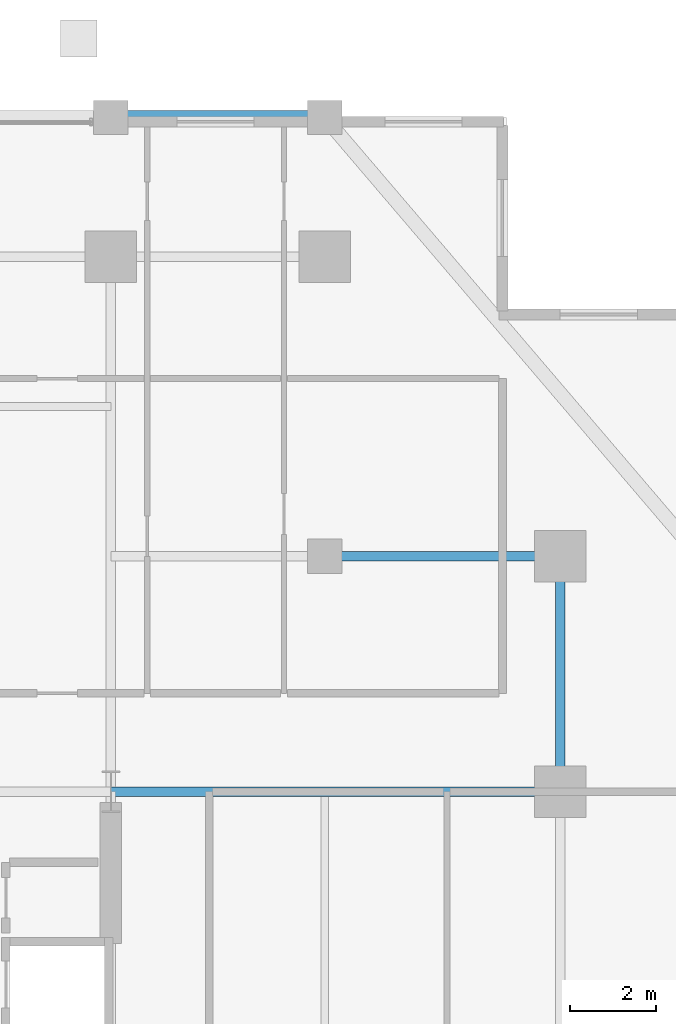
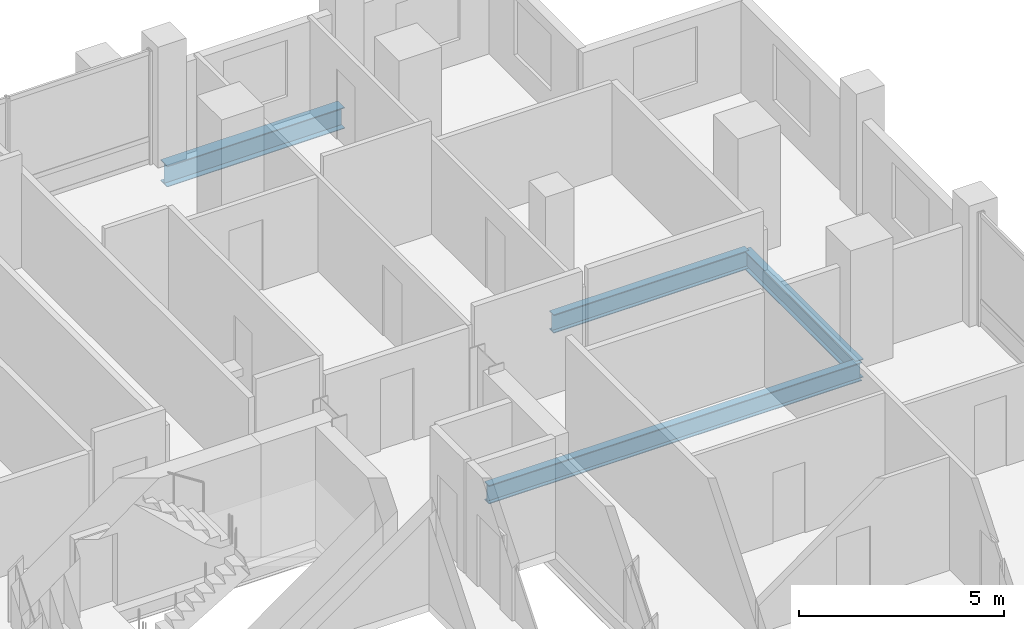
# One storey, part 11 of 19: 4 beams.
"""IFC4 building model written with IfcOpenShell, lengths in metres."""

import ifcopenshell
import ifcopenshell.guid

model = None  # the IFC model being written
_history = None  # IfcOwnerHistory: only IFC2X3 demands one
_inside = {}  # id of a spatial element -> (the spatial element, [elements in it])
_under = {}  # id of a project, library or spatial element -> (it, [spatial elements below it])
_declared = {}  # id of a project -> (the project, [libraries it declares])
_typed = {}  # id of a type object -> (the type object, [elements of that type])
_made_of = {}  # id of a material, layer set ... -> (it, [elements and type objects made of it])


def new_model(schema):
    """Start an empty IFC model of exactly this schema.

    Asked for "IFC4X3", IfcOpenShell would pick the latest addendum, in which some entities
    have other attributes; the version numbers below select the first issue.
    IFC2X3 requires an IfcOwnerHistory on every rooted entity: one is made here for all.
    """
    global model, _history
    if schema == "IFC4X3":
        model = ifcopenshell.file(schema_version=(4, 3, 0, 0))
    else:
        model = ifcopenshell.file(schema=schema)
    _inside.clear()
    _under.clear()
    _declared.clear()
    _typed.clear()
    _made_of.clear()
    _history = None
    if model.schema == "IFC2X3":
        org = make("IfcOrganization", Name="unknown")
        user = make(
            "IfcPersonAndOrganization",
            ThePerson=make("IfcPerson", FamilyName="unknown"),
            TheOrganization=org,
        )
        app = make(
            "IfcApplication",
            ApplicationDeveloper=org,
            Version="unknown",
            ApplicationFullName="unknown",
            ApplicationIdentifier="unknown",
        )
        _history = make(
            "IfcOwnerHistory",
            OwningUser=user,
            OwningApplication=app,
            ChangeAction="ADDED",
            CreationDate=0,
        )
    return model


def make(cls, **values):
    """One entity of the class cls with the attributes given. An attribute that is None is left unset."""
    return model.create_entity(
        cls, **{name: value for name, value in values.items() if value is not None}
    )


def rooted(cls, **values):
    """An entity with a GlobalId (a new one), such as an element, a storey or a relation."""
    return make(cls, GlobalId=ifcopenshell.guid.new(), OwnerHistory=_history, **values)


def si_unit(unit_type, name, prefix=None):
    """IfcSIUnit, for example si_unit("LENGTHUNIT", "METRE", prefix="MILLI")."""
    return make("IfcSIUnit", UnitType=unit_type, Prefix=prefix, Name=name)


def assignment(units):
    """IfcUnitAssignment: the units of a project."""
    return None if units is None else make("IfcUnitAssignment", Units=units)


def point(xyz):
    """IfcCartesianPoint."""
    return None if xyz is None else make("IfcCartesianPoint", Coordinates=xyz)


def direction(xyz):
    """IfcDirection."""
    return None if xyz is None else make("IfcDirection", DirectionRatios=xyz)


def frame(location, z_axis=None, x_axis=None):
    """IfcAxis2Placement3D, a coordinate frame: its origin and axes. An axis left out is left unset."""
    return make(
        "IfcAxis2Placement3D",
        Location=point(location),
        Axis=direction(z_axis),
        RefDirection=direction(x_axis),
    )


def frame_2d(location, x_axis=None):
    """IfcAxis2Placement2D, a coordinate frame in the plane: its origin and x axis."""
    return make(
        "IfcAxis2Placement2D", Location=point(location), RefDirection=direction(x_axis)
    )


def origin():
    """The frame at (0, 0, 0) with its axes left unset."""
    return frame((0.0, 0.0, 0.0))


def origin_2d():
    """The frame at (0, 0) in the plane with its x axis left unset."""
    return frame_2d((0.0, 0.0))


def place(relative_to, where):
    """IfcLocalPlacement: puts the frame where relative to a parent placement (None: the world)."""
    return make(
        "IfcLocalPlacement", PlacementRelTo=relative_to, RelativePlacement=where
    )


def context(
    kind, dimensions, precision=None, world=None, true_north=None, identifier=None
):
    """IfcGeometricRepresentationContext, for example the 3D "Model" context."""
    return make(
        "IfcGeometricRepresentationContext",
        ContextIdentifier=identifier,
        ContextType=kind,
        CoordinateSpaceDimension=dimensions,
        Precision=precision,
        WorldCoordinateSystem=world,
        TrueNorth=true_north,
    )


def subcontext(parent, identifier, kind, view, scale=None):
    """IfcGeometricRepresentationSubContext, for example "Body" below "Model"."""
    return make(
        "IfcGeometricRepresentationSubContext",
        ContextIdentifier=identifier,
        ContextType=kind,
        ParentContext=parent,
        TargetScale=scale,
        TargetView=view,
    )


def project(units=None, contexts=None):
    """IfcProject with its units and contexts."""
    return rooted(
        "IfcProject",
        Name="project",
        RepresentationContexts=contexts,
        UnitsInContext=assignment(units),
    )


def spatial(cls, under=None, at=None, **own):
    """A site, building, storey or space (cls), placed at a placement, below another one or the project."""
    s = rooted(cls, ObjectPlacement=at, **own)
    if under is not None:
        _under.setdefault(under.id(), (under, []))[1].append(s)
    return s


def profile(cls, at=None, kind="AREA", **sizes):
    """A parametric profile (cls). Its sizes go by their IFC names, for example OverallWidth=200.0."""
    return make(cls, ProfileType=kind, Position=at, **sizes)


def i_section(**sizes):
    """IfcIShapeProfileDef."""
    return profile("IfcIShapeProfileDef", **sizes)


def extrude(swept, where, along, depth):
    """IfcExtrudedAreaSolid: the profile swept, set in the frame where, extruded along a direction by depth."""
    return make(
        "IfcExtrudedAreaSolid",
        SweptArea=swept,
        Position=where,
        ExtrudedDirection=direction(along),
        Depth=depth,
    )


def shape(context_of_items, identifier, shape_type, items):
    """IfcShapeRepresentation: the items that make up one representation, for example the "Body"."""
    return make(
        "IfcShapeRepresentation",
        ContextOfItems=context_of_items,
        RepresentationIdentifier=identifier,
        RepresentationType=shape_type,
        Items=items,
    )


def material(Name=None, Category=None):
    """IfcMaterial."""
    return make("IfcMaterial", Name=Name, Category=Category)


def material_profile(
    of_material, cross_section, Name=None, Category=None, Priority=None
):
    """IfcMaterialProfile: a cross section and its material."""
    return make(
        "IfcMaterialProfile",
        Name=Name,
        Material=of_material,
        Profile=cross_section,
        Priority=Priority,
        Category=Category,
    )


def profile_set(profiles, Name=None, composite=None):
    """IfcMaterialProfileSet."""
    return make(
        "IfcMaterialProfileSet",
        Name=Name,
        MaterialProfiles=profiles,
        CompositeProfile=composite,
    )


def made_of(thing, what):
    """Note that an element or type object is made of a material, layer set ...; save() writes the relation."""
    if what is not None:
        _made_of.setdefault(what.id(), (what, []))[1].append(thing)
    return thing


def type_object(cls, material=None, **own):
    """A type object (cls), such as IfcWallType, which elements share."""
    return made_of(rooted(cls, **own), material)


def element(
    cls,
    number,
    at=None,
    inside=None,
    cuts=None,
    type_object=None,
    material=None,
    context=None,
    identifier="Body",
    shape_type=None,
    held_by="IfcProductDefinitionShape",
    body=None,
    shapes=None,
    **own,
):
    """One element of the class cls, such as IfcWall. Its Tag is "e" and its number.

    at: its placement. inside: the storey or other place that contains it. cuts: it is an
    opening in that element (IfcRelVoidsElement). A single representation is given by context,
    identifier, shape_type and body (its items); several are given by shapes. held_by: the class
    of the entity that holds the representations. save() writes the other relations.
    """
    e = rooted(cls, Tag="e%d" % number, ObjectPlacement=at, **own)
    if body is not None:
        shapes = [shape(context, identifier, shape_type, body)]
    if shapes is not None:
        e.Representation = make(held_by, Representations=shapes)
    if inside is not None:
        _inside.setdefault(inside.id(), (inside, []))[1].append(e)
    if cuts is not None:
        rooted(
            "IfcRelVoidsElement", RelatingBuildingElement=cuts, RelatedOpeningElement=e
        )
    if type_object is not None:
        _typed.setdefault(type_object.id(), (type_object, []))[1].append(e)
    return made_of(e, material)


def aggregate(whole, parts):
    """IfcRelAggregates: a whole, such as a stair, and the parts it consists of."""
    return rooted("IfcRelAggregates", RelatingObject=whole, RelatedObjects=parts)


def save(model, path):
    """Write the relations noted so far, then the file.

    IfcRelAggregates (storeys below a building ...), IfcRelContainedInSpatialStructure (elements
    in a storey), IfcRelDefinesByType, IfcRelAssociatesMaterial and IfcRelDeclares: one each for
    every whole, place, type object, material and project.
    """
    for whole, parts in _under.values():
        aggregate(whole, parts)
    for where, things in _inside.values():
        rooted(
            "IfcRelContainedInSpatialStructure",
            RelatedElements=things,
            RelatingStructure=where,
        )
    for kind, things in _typed.values():
        rooted("IfcRelDefinesByType", RelatedObjects=things, RelatingType=kind)
    for what, things in _made_of.values():
        rooted("IfcRelAssociatesMaterial", RelatedObjects=things, RelatingMaterial=what)
    for by, libraries in _declared.values():
        rooted("IfcRelDeclares", RelatingContext=by, RelatedDefinitions=libraries)
    model.write(path)


model = new_model("IFC4")

# Units and contexts
model_context = context("Model", 3, precision=1e-05, world=origin(), true_north=direction((0.0, 1.0)))
body_context = subcontext(model_context, "Body", "Model", "MODEL_VIEW")
ifc_project = project(units=[si_unit("LENGTHUNIT", "METRE"), si_unit("AREAUNIT", "SQUARE_METRE"), si_unit("VOLUMEUNIT", "CUBIC_METRE"), si_unit("PLANEANGLEUNIT", "RADIAN"), si_unit("MASSUNIT", "GRAM", prefix="KILO")], contexts=[model_context])

# Site, building, storey
site_placement = place(None, origin())
site = spatial("IfcSite", under=ifc_project, at=site_placement, CompositionType="ELEMENT")
building_placement = place(site_placement, origin())
building = spatial("IfcBuilding", under=site, at=building_placement, Name="Barlavira Tower and Art Museum", CompositionType="ELEMENT")
storey_placement = place(building_placement, frame((0.0, 0.0, 158.39990234375)))
storey = spatial("IfcBuildingStorey", under=building, at=storey_placement, Name="L40", CompositionType="ELEMENT", Elevation=158.39990234375)

# Beams
ifc_material = material(Name="Steel S355", Category="steel")
ifc_material_profile_1 = material_profile(ifc_material, i_section(OverallWidth=0.327880859375, OverallDepth=0.62890625, WebThickness=0.013916015625, FlangeThickness=0.021484375, at=origin_2d()), Name="W610x174.0")
ifc_profile_set_1 = profile_set([ifc_material_profile_1], Name="Steel S355")
beam_type_1 = type_object("IfcBeamType", Name="Perimeter Spandrel Edge Beam W610x174 Steel S355", PredefinedType="SPANDREL", material=ifc_profile_set_1)
beam_1_placement = place(storey_placement, frame((6.5, 23.25, -0.534423828125), z_axis=(1.0, 0.0, 0.0), x_axis=(0.0, 1.0, 0.0)))
element("IfcBeam", 1, at=beam_1_placement, inside=storey, type_object=beam_type_1, Name="L40 Spandrel 9", PredefinedType="SPANDREL", context=body_context, shape_type="SweptSolid", body=[
    extrude(i_section(OverallWidth=0.327880859375, OverallDepth=0.62890625, WebThickness=0.013916015625, FlangeThickness=0.021484375, at=origin_2d()), origin(), (0.0, 0.0, 1.0), 5.0),
])
ifc_material_profile_2 = material_profile(ifc_material, i_section(OverallWidth=0.214111328125, OverallDepth=0.549072265625, WebThickness=0.0146484375, FlangeThickness=0.023681640625, at=origin_2d()), Name="W530x138.0")
ifc_profile_set_2 = profile_set([ifc_material_profile_2], Name="Steel S355")
beam_type_2 = type_object("IfcBeamType", Name="Zone 1 Primary Floor Girder W530x138 Steel S355", PredefinedType="BEAM", material=ifc_profile_set_2)
beam_2_placement = place(storey_placement, frame((17.0, 7.5, -0.494384765625), z_axis=(0.0, 1.0, 0.0), x_axis=(-1.0, 0.0, 0.0)))
element("IfcBeam", 2, at=beam_2_placement, inside=storey, type_object=beam_type_2, Name="L40 Girder M-E3", PredefinedType="BEAM", context=body_context, shape_type="SweptSolid", body=[
    extrude(i_section(OverallWidth=0.214111328125, OverallDepth=0.549072265625, WebThickness=0.0146484375, FlangeThickness=0.023681640625, at=origin_2d()), origin(), (0.0, 0.0, 1.0), 5.5),
])
beam_3_placement = place(storey_placement, frame((6.5, 7.5, -0.494384765625), z_axis=(1.0, 0.0, 0.0), x_axis=(0.0, 1.0, 0.0)))
element("IfcBeam", 3, at=beam_3_placement, inside=storey, type_object=beam_type_2, Name="L40 Girder R-E2", PredefinedType="BEAM", context=body_context, shape_type="SweptSolid", body=[
    extrude(i_section(OverallWidth=0.214111328125, OverallDepth=0.549072265625, WebThickness=0.0146484375, FlangeThickness=0.023681640625, at=origin_2d()), origin(), (0.0, 0.0, 1.0), 10.5),
])
beam_4_placement = place(storey_placement, frame((11.5, 13.0, -0.494384765625), z_axis=(1.0, 0.0, 0.0), x_axis=(0.0, 1.0, 0.0)))
element("IfcBeam", 4, at=beam_4_placement, inside=storey, type_object=beam_type_2, Name="L40 Girder I-N4", PredefinedType="BEAM", context=body_context, shape_type="SweptSolid", body=[
    extrude(i_section(OverallWidth=0.214111328125, OverallDepth=0.549072265625, WebThickness=0.0146484375, FlangeThickness=0.023681640625, at=origin_2d()), origin(), (0.0, 0.0, 1.0), 5.5),
])

save(model, "model.ifc")
